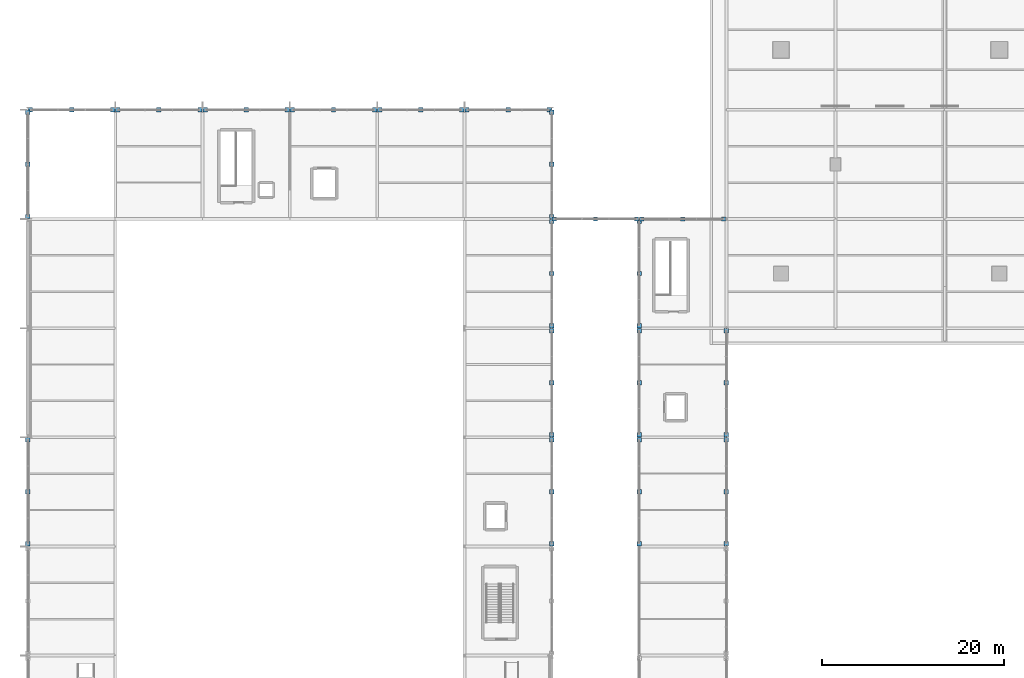
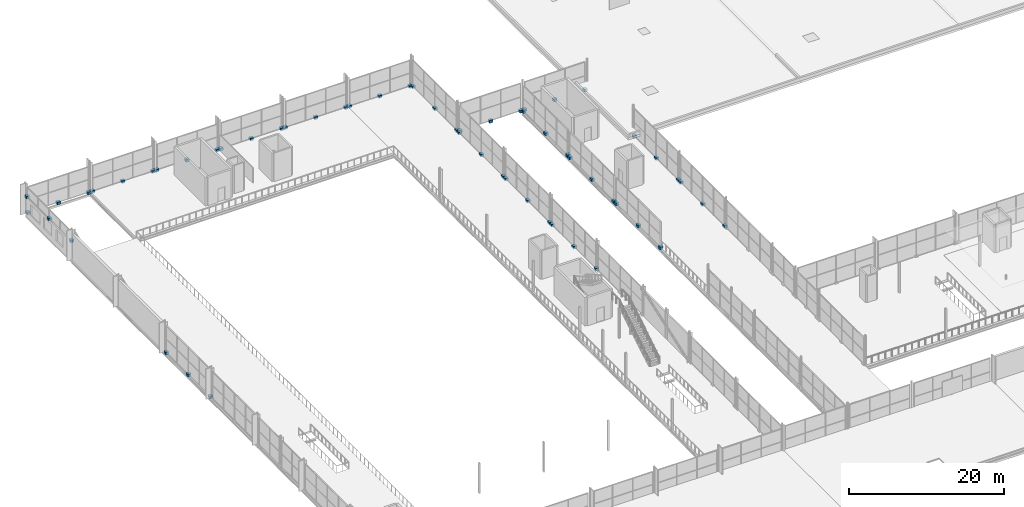
# One storey, part 148 of 159: 57 discrete accessories.
"""IFC4 building model written with IfcOpenShell, lengths in metres."""

from ifc_helpers import new_model, si_unit, direction, frame, origin, origin_2d, place, context, subcontext, project, spatial, rectangle, extrude, material, layer, layer_set, type_object, element, save


model = new_model("IFC4")

# Units and contexts
model_context = context("Model", 3, precision=1e-05, world=origin(), true_north=direction((0.0, 1.0)))
body_context = subcontext(model_context, "Body", "Model", "MODEL_VIEW")
ifc_project = project(units=[si_unit("LENGTHUNIT", "METRE"), si_unit("AREAUNIT", "SQUARE_METRE"), si_unit("VOLUMEUNIT", "CUBIC_METRE"), si_unit("PLANEANGLEUNIT", "RADIAN"), si_unit("MASSUNIT", "GRAM", prefix="KILO")], contexts=[model_context])

# Site, building, storey
site_placement = place(None, origin())
site = spatial("IfcSite", under=ifc_project, at=site_placement, CompositionType="ELEMENT")
building_placement = place(site_placement, origin())
building = spatial("IfcBuilding", under=site, at=building_placement, Name="Merenkruunu Market Hall", CompositionType="ELEMENT")
storey_placement = place(building_placement, frame((0.0, 0.0, 5.39990234375)))
storey = spatial("IfcBuildingStorey", under=building, at=storey_placement, Name="L01", CompositionType="ELEMENT", Elevation=5.39990234375)

# Discrete accessories
ifc_material = material(Name="Brushed stainless steel", Category="steel")
ifc_layer = layer(ifc_material, 0.159912109375)
ifc_layer_set = layer_set([ifc_layer], Name="Brushed stainless steel")
discrete_accessory_type = type_object("IfcDiscreteAccessoryType", Name="Stainless Facade Support Bracket BRK01", PredefinedType="BRACKET", material=ifc_layer_set)
for number, where, z_axis, x_axis, name in (
    (1, (0.0, 63.8798828125, -0.199951171875), (0.0, 0.0, 1.0), (1.0, 0.0, 0.0), "ACC-CWBRK-014-1"),
    (2, (0.0, 69.60009765625, -0.199951171875), (0.0, 0.0, 1.0), (1.0, 0.0, 0.0), "ACC-CWBRK-014-2"),
    (3, (0.0, 75.320068359375, -0.199951171875), (0.0, 0.0, 1.0), (1.0, 0.0, 0.0), "ACC-CWBRK-014-3"),
    (4, (0.0, 99.8798828125, 2.60009765625), (0.0, 0.0, 1.0), (1.0, 0.0, 0.0), "ACC-CWBRK-017-1"),
    (5, (0.0, 105.60009765625, 2.60009765625), (0.0, 0.0, 1.0), (1.0, 0.0, 0.0), "ACC-CWBRK-017-2"),
    (6, (0.0, 111.320068359375, 2.60009765625), (0.0, 0.0, 1.0), (1.0, 0.0, 0.0), "ACC-CWBRK-017-3"),
    (7, (0.280029296875, 111.60009765625, -0.199951171875), (0.0, 0.0, 1.0), (1.0, 0.0, 0.0), "ACC-CWBRK-052-1"),
    (8, (4.800048828125, 111.60009765625, -0.199951171875), (0.0, 0.0, 1.0), (1.0, 0.0, 0.0), "ACC-CWBRK-052-2"),
    (9, (9.320068359375, 111.60009765625, -0.199951171875), (0.0, 0.0, 1.0), (1.0, 0.0, 0.0), "ACC-CWBRK-052-3"),
    (10, (9.8798828125, 111.60009765625, -0.199951171875), (0.0, 0.0, 1.0), (1.0, 0.0, 0.0), "ACC-CWBRK-054-1"),
    (11, (14.39990234375, 111.60009765625, -0.199951171875), (0.0, 0.0, 1.0), (1.0, 0.0, 0.0), "ACC-CWBRK-054-2"),
    (12, (18.919921875, 111.60009765625, -0.199951171875), (0.0, 0.0, 1.0), (1.0, 0.0, 0.0), "ACC-CWBRK-054-3"),
    (13, (19.47998046875, 111.60009765625, -0.199951171875), (0.0, 0.0, 1.0), (1.0, 0.0, 0.0), "ACC-CWBRK-057-1"),
    (14, (24.0, 111.60009765625, -0.199951171875), (0.0, 0.0, 1.0), (1.0, 0.0, 0.0), "ACC-CWBRK-057-2"),
    (15, (28.52001953125, 111.60009765625, -0.199951171875), (0.0, 0.0, 1.0), (1.0, 0.0, 0.0), "ACC-CWBRK-057-3"),
    (16, (29.080078125, 111.60009765625, -0.199951171875), (0.0, 0.0, 1.0), (1.0, 0.0, 0.0), "ACC-CWBRK-060-1"),
    (17, (33.60009765625, 111.60009765625, -0.199951171875), (0.0, 0.0, 1.0), (1.0, 0.0, 0.0), "ACC-CWBRK-060-2"),
    (18, (38.1201171875, 111.60009765625, -0.199951171875), (0.0, 0.0, 1.0), (1.0, 0.0, 0.0), "ACC-CWBRK-060-3"),
    (19, (38.679931640625, 111.60009765625, -0.199951171875), (0.0, 0.0, 1.0), (1.0, 0.0, 0.0), "ACC-CWBRK-063-1"),
    (20, (43.199951171875, 111.60009765625, -0.199951171875), (0.0, 0.0, 1.0), (1.0, 0.0, 0.0), "ACC-CWBRK-063-2"),
    (21, (47.719970703125, 111.60009765625, -0.199951171875), (0.0, 0.0, 1.0), (1.0, 0.0, 0.0), "ACC-CWBRK-063-3"),
    (22, (48.280029296875, 111.60009765625, -0.199951171875), (0.0, 0.0, 1.0), (1.0, 0.0, 0.0), "ACC-CWBRK-065-1"),
    (23, (52.800048828125, 111.60009765625, -0.199951171875), (0.0, 0.0, 1.0), (1.0, 0.0, 0.0), "ACC-CWBRK-065-2"),
    (24, (57.320068359375, 111.60009765625, -0.199951171875), (0.0, 0.0, 1.0), (1.0, 0.0, 0.0), "ACC-CWBRK-065-3"),
    (25, (57.60009765625, 63.8798828125, -0.199951171875), (0.0, 0.0, 1.0), (1.0, 0.0, 0.0), "ACC-CWBRK-131-1"),
    (26, (57.60009765625, 69.60009765625, -0.199951171875), (0.0, 0.0, 1.0), (1.0, 0.0, 0.0), "ACC-CWBRK-131-2"),
    (27, (57.60009765625, 75.320068359375, -0.199951171875), (0.0, 0.0, 1.0), (1.0, 0.0, 0.0), "ACC-CWBRK-131-3"),
    (28, (57.60009765625, 75.8798828125, -0.199951171875), (0.0, 0.0, 1.0), (1.0, 0.0, 0.0), "ACC-CWBRK-134-1"),
    (29, (57.60009765625, 81.60009765625, -0.199951171875), (0.0, 0.0, 1.0), (1.0, 0.0, 0.0), "ACC-CWBRK-134-2"),
    (30, (57.60009765625, 87.320068359375, -0.199951171875), (0.0, 0.0, 1.0), (1.0, 0.0, 0.0), "ACC-CWBRK-134-3"),
    (31, (57.60009765625, 87.8798828125, -0.199951171875), (0.0, 0.0, 1.0), (1.0, 0.0, 0.0), "ACC-CWBRK-136-1"),
    (32, (57.60009765625, 93.60009765625, -0.199951171875), (0.0, 0.0, 1.0), (1.0, 0.0, 0.0), "ACC-CWBRK-136-2"),
    (33, (57.60009765625, 99.320068359375, -0.199951171875), (0.0, 0.0, 1.0), (1.0, 0.0, 0.0), "ACC-CWBRK-136-3"),
    (34, (57.60009765625, 111.320068359375, -0.199951171875), (0.0, 0.0, 1.0), (1.0, 0.0, 0.0), "ACC-CWBRK-137-1"),
    (35, (57.60009765625, 105.60009765625, -0.199951171875), (0.0, 0.0, 1.0), (1.0, 0.0, 0.0), "ACC-CWBRK-137-2"),
    (36, (57.60009765625, 99.8798828125, -0.199951171875), (0.0, 0.0, 1.0), (1.0, 0.0, 0.0), "ACC-CWBRK-137-3"),
    (37, (57.8798828125, 99.60009765625, -0.199951171875), (0.0, 0.0, 1.0), (1.0, 0.0, 0.0), "ACC-CWBRK-143-1"),
    (38, (62.39990234375, 99.60009765625, -0.199951171875), (0.0, 0.0, 1.0), (1.0, 0.0, 0.0), "ACC-CWBRK-143-2"),
    (39, (66.919921875, 99.60009765625, -0.199951171875), (0.0, 0.0, 1.0), (1.0, 0.0, 0.0), "ACC-CWBRK-143-3"),
    (40, (67.47998046875, 99.60009765625, -0.199951171875), (0.0, 0.0, 1.0), (1.0, 0.0, 0.0), "ACC-CWBRK-149-1"),
    (41, (72.0, 99.60009765625, -0.199951171875), (0.0, 0.0, 1.0), (1.0, 0.0, 0.0), "ACC-CWBRK-149-2"),
    (42, (76.52001953125, 99.60009765625, -0.199951171875), (0.0, 0.0, 1.0), (1.0, 0.0, 0.0), "ACC-CWBRK-149-3"),
    (43, (76.800048828125, 75.320068359375, -0.199951171875), (0.0, 0.0, 1.0), (1.0, 0.0, 0.0), "ACC-CWBRK-163-1"),
    (44, (76.800048828125, 69.60009765625, -0.199951171875), (0.0, 0.0, 1.0), (1.0, 0.0, 0.0), "ACC-CWBRK-163-2"),
    (45, (76.800048828125, 63.8798828125, -0.199951171875), (0.0, 0.0, 1.0), (1.0, 0.0, 0.0), "ACC-CWBRK-163-3"),
    (46, (76.800048828125, 87.320068359375, -0.199951171875), (0.0, 0.0, 1.0), (1.0, 0.0, 0.0), "ACC-CWBRK-166-1"),
    (47, (76.800048828125, 81.60009765625, -0.199951171875), (0.0, 0.0, 1.0), (1.0, 0.0, 0.0), "ACC-CWBRK-166-2"),
    (48, (76.800048828125, 75.8798828125, -0.199951171875), (0.0, 0.0, 1.0), (1.0, 0.0, 0.0), "ACC-CWBRK-166-3"),
    (49, (67.199951171875, 63.8798828125, -0.199951171875), (0.0, 0.0, 1.0), (1.0, 0.0, 0.0), "ACC-CWBRK-175-1"),
    (50, (67.199951171875, 69.60009765625, -0.199951171875), (0.0, 0.0, 1.0), (1.0, 0.0, 0.0), "ACC-CWBRK-175-2"),
    (51, (67.199951171875, 75.320068359375, -0.199951171875), (0.0, 0.0, 1.0), (1.0, 0.0, 0.0), "ACC-CWBRK-175-3"),
    (52, (67.199951171875, 75.8798828125, -0.199951171875), (0.0, 0.0, 1.0), (1.0, 0.0, 0.0), "ACC-CWBRK-177-1"),
    (53, (67.199951171875, 81.60009765625, -0.199951171875), (0.0, 0.0, 1.0), (1.0, 0.0, 0.0), "ACC-CWBRK-177-2"),
    (54, (67.199951171875, 87.320068359375, -0.199951171875), (0.0, 0.0, 1.0), (1.0, 0.0, 0.0), "ACC-CWBRK-177-3"),
    (55, (67.199951171875, 87.8798828125, -0.199951171875), (0.0, 0.0, 1.0), (1.0, 0.0, 0.0), "ACC-CWBRK-179-1"),
    (56, (67.199951171875, 93.60009765625, -0.199951171875), (0.0, 0.0, 1.0), (1.0, 0.0, 0.0), "ACC-CWBRK-179-2"),
    (57, (67.199951171875, 99.320068359375, -0.199951171875), (0.0, 0.0, 1.0), (1.0, 0.0, 0.0), "ACC-CWBRK-179-3"),
):
    element("IfcDiscreteAccessory", number, at=place(storey_placement, frame(where, z_axis=z_axis, x_axis=x_axis)), inside=storey, type_object=discrete_accessory_type, Name=name, PredefinedType="BRACKET", context=body_context, shape_type="SweptSolid", body=[
        extrude(rectangle(XDim=0.47998046875, YDim=0.47998046875, at=origin_2d()), origin(), (0.0, 0.0, 1.0), 0.39990234375),
    ])

save(model, "model.ifc")
